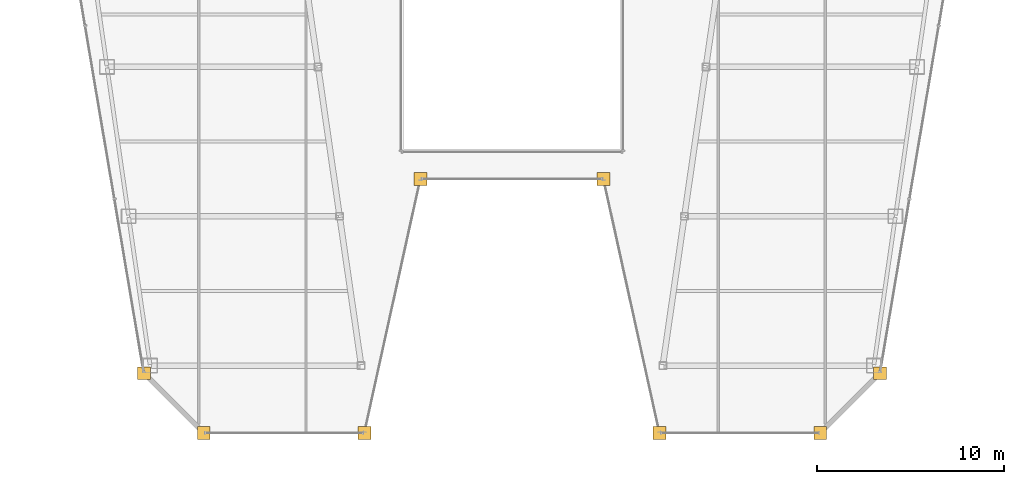
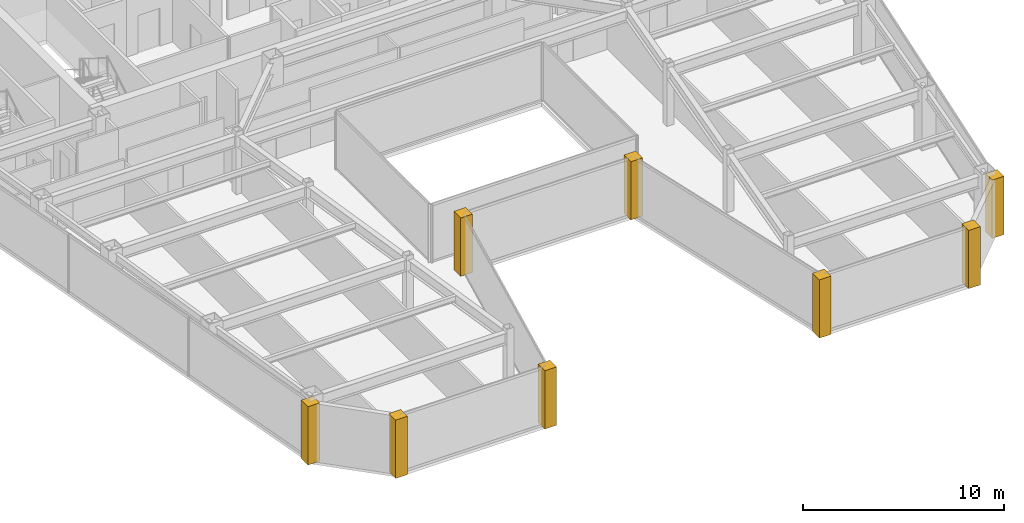
# One storey, part 34 of 36: 8 coverings.
"""IFC4 building model written with IfcOpenShell, lengths in metres."""

from ifc_helpers import new_model, si_unit, direction, frame, origin, place, context, subcontext, project, spatial, polyline, outline, extrude, material, layer, layer_set, type_object, element, save


model = new_model("IFC4")

# Units and contexts
model_context = context("Model", 3, precision=1e-05, world=origin(), true_north=direction((0.0, 1.0)))
body_context = subcontext(model_context, "Body", "Model", "MODEL_VIEW")
ifc_project = project(units=[si_unit("LENGTHUNIT", "METRE"), si_unit("AREAUNIT", "SQUARE_METRE"), si_unit("VOLUMEUNIT", "CUBIC_METRE"), si_unit("PLANEANGLEUNIT", "RADIAN"), si_unit("MASSUNIT", "GRAM", prefix="KILO")], contexts=[model_context])

# Site, building, storey
site_placement = place(None, origin())
site = spatial("IfcSite", under=ifc_project, at=site_placement, CompositionType="ELEMENT")
building_placement = place(site_placement, origin())
building = spatial("IfcBuilding", under=site, at=building_placement, Name="Saevonmaru Cultural Tower", CompositionType="ELEMENT")
storey_placement = place(building_placement, frame((0.0, 0.0, 186.60009765625)))
storey = spatial("IfcBuildingStorey", under=building, at=storey_placement, Name="L42", CompositionType="ELEMENT", Elevation=186.60009765625)

# Coverings
ifc_material = material(Name="Satin Bronze Anodised Aluminium", Category="aluminium")
ifc_layer = layer(ifc_material, 0.679931640625, Name="Satin Bronze Anodised Aluminium")
ifc_layer_set = layer_set([ifc_layer], Name="Satin Bronze Anodised Aluminium")
covering_type = type_object("IfcCoveringType", Name="CV-CORNER-CLAD", PredefinedType="CLADDING", material=ifc_layer_set)
covering_1_placement = place(storey_placement, origin())
element("IfcCovering", 1, at=covering_1_placement, inside=storey, type_object=covering_type, Name="L42 Tower Bronze Corner Cladding Pier 1", PredefinedType="CLADDING", context=body_context, shape_type="SweptSolid", body=[
    extrude(outline(polyline([(9.9580078125, 15.260009765625), (10.637939453125, 15.260009765625), (10.637939453125, 15.93994140625), (9.9580078125, 15.93994140625), (9.9580078125, 15.260009765625)])), origin(), (0.0, 0.0, 1.0), 3.5498046875),
])
covering_2_placement = place(storey_placement, origin())
element("IfcCovering", 2, at=covering_2_placement, inside=storey, type_object=covering_type, Name="L42 Tower Bronze Corner Cladding Pier 2", PredefinedType="CLADDING", context=body_context, shape_type="SweptSolid", body=[
    extrude(outline(polyline([(13.157958984375, 12.06005859375), (13.837890625, 12.06005859375), (13.837890625, 12.739990234375), (13.157958984375, 12.739990234375), (13.157958984375, 12.06005859375)])), origin(), (0.0, 0.0, 1.0), 3.5498046875),
])
covering_3_placement = place(storey_placement, origin())
element("IfcCovering", 3, at=covering_3_placement, inside=storey, type_object=covering_type, Name="L42 Tower Bronze Corner Cladding Pier 3", PredefinedType="CLADDING", context=body_context, shape_type="SweptSolid", body=[
    extrude(outline(polyline([(21.758056640625, 12.06005859375), (22.43798828125, 12.06005859375), (22.43798828125, 12.739990234375), (21.758056640625, 12.739990234375), (21.758056640625, 12.06005859375)])), origin(), (0.0, 0.0, 1.0), 3.5498046875),
])
covering_4_placement = place(storey_placement, origin())
element("IfcCovering", 4, at=covering_4_placement, inside=storey, type_object=covering_type, Name="L42 Tower Bronze Corner Cladding Pier 4", PredefinedType="CLADDING", context=body_context, shape_type="SweptSolid", body=[
    extrude(outline(polyline([(24.758056640625, 25.659912109375), (25.43798828125, 25.659912109375), (25.43798828125, 26.340087890625), (24.758056640625, 26.340087890625), (24.758056640625, 25.659912109375)])), origin(), (0.0, 0.0, 1.0), 3.5498046875),
])
covering_5_placement = place(storey_placement, origin())
element("IfcCovering", 5, at=covering_5_placement, inside=storey, type_object=covering_type, Name="L42 Tower Bronze Corner Cladding Pier 5", PredefinedType="CLADDING", context=body_context, shape_type="SweptSolid", body=[
    extrude(outline(polyline([(34.56201171875, 25.659912109375), (35.241943359375, 25.659912109375), (35.241943359375, 26.340087890625), (34.56201171875, 26.340087890625), (34.56201171875, 25.659912109375)])), origin(), (0.0, 0.0, 1.0), 3.5498046875),
])
covering_6_placement = place(storey_placement, origin())
element("IfcCovering", 6, at=covering_6_placement, inside=storey, type_object=covering_type, Name="L42 Tower Bronze Corner Cladding Pier 6", PredefinedType="CLADDING", context=body_context, shape_type="SweptSolid", body=[
    extrude(outline(polyline([(37.56201171875, 12.06005859375), (38.241943359375, 12.06005859375), (38.241943359375, 12.739990234375), (37.56201171875, 12.739990234375), (37.56201171875, 12.06005859375)])), origin(), (0.0, 0.0, 1.0), 3.5498046875),
])
covering_7_placement = place(storey_placement, origin())
element("IfcCovering", 7, at=covering_7_placement, inside=storey, type_object=covering_type, Name="L42 Tower Bronze Corner Cladding Pier 7", PredefinedType="CLADDING", context=body_context, shape_type="SweptSolid", body=[
    extrude(outline(polyline([(46.162109375, 12.06005859375), (46.842041015625, 12.06005859375), (46.842041015625, 12.739990234375), (46.162109375, 12.739990234375), (46.162109375, 12.06005859375)])), origin(), (0.0, 0.0, 1.0), 3.5498046875),
])
covering_8_placement = place(storey_placement, origin())
element("IfcCovering", 8, at=covering_8_placement, inside=storey, type_object=covering_type, Name="L42 Tower Bronze Corner Cladding Pier 8", PredefinedType="CLADDING", context=body_context, shape_type="SweptSolid", body=[
    extrude(outline(polyline([(49.362060546875, 15.260009765625), (50.0419921875, 15.260009765625), (50.0419921875, 15.93994140625), (49.362060546875, 15.93994140625), (49.362060546875, 15.260009765625)])), origin(), (0.0, 0.0, 1.0), 3.5498046875),
])

save(model, "model.ifc")
